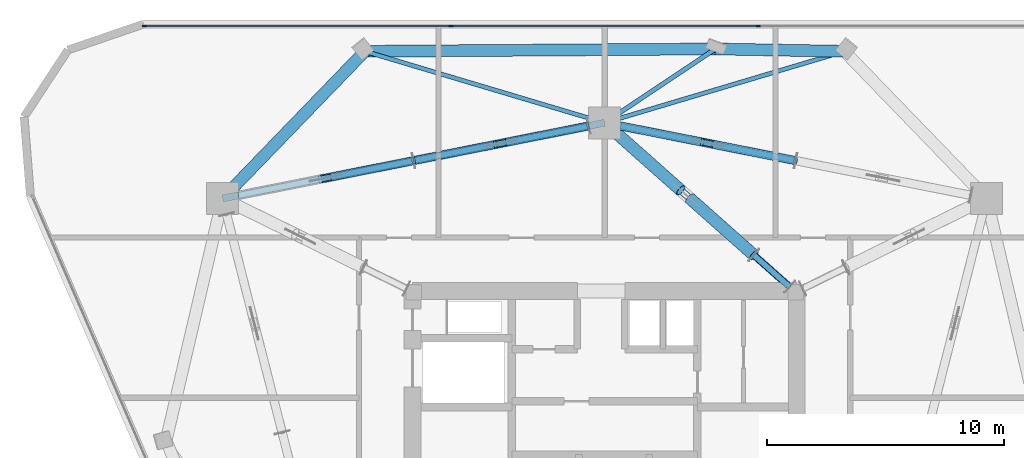
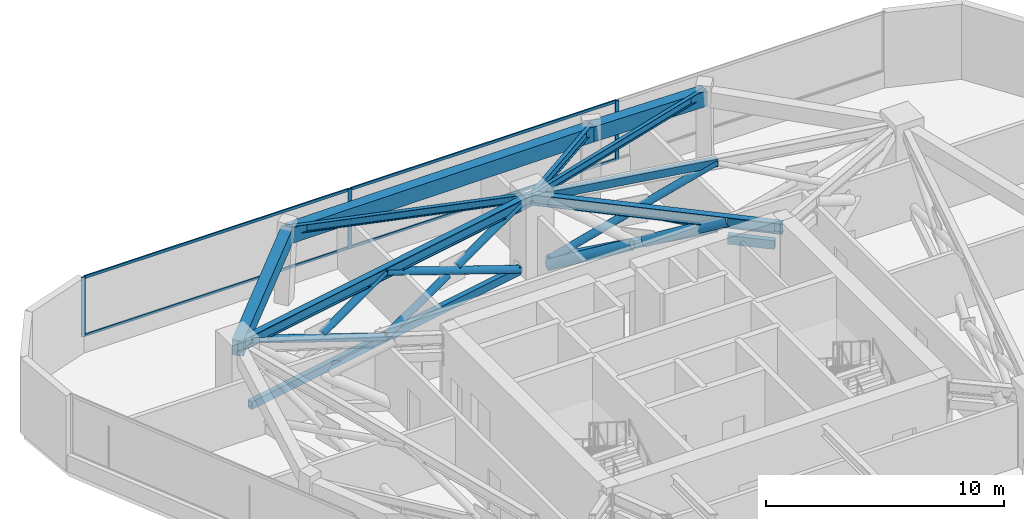
# One storey, part 6 of 12: 25 members, 8 beams, 1 element without a shape of its own.
"""IFC4 building model written with IfcOpenShell, lengths in metres."""

import ifcopenshell
import ifcopenshell.guid

model = None  # the IFC model being written
_history = None  # IfcOwnerHistory: only IFC2X3 demands one
_inside = {}  # id of a spatial element -> (the spatial element, [elements in it])
_under = {}  # id of a project, library or spatial element -> (it, [spatial elements below it])
_declared = {}  # id of a project -> (the project, [libraries it declares])
_typed = {}  # id of a type object -> (the type object, [elements of that type])
_made_of = {}  # id of a material, layer set ... -> (it, [elements and type objects made of it])


def new_model(schema):
    """Start an empty IFC model of exactly this schema.

    Asked for "IFC4X3", IfcOpenShell would pick the latest addendum, in which some entities
    have other attributes; the version numbers below select the first issue.
    IFC2X3 requires an IfcOwnerHistory on every rooted entity: one is made here for all.
    """
    global model, _history
    if schema == "IFC4X3":
        model = ifcopenshell.file(schema_version=(4, 3, 0, 0))
    else:
        model = ifcopenshell.file(schema=schema)
    _inside.clear()
    _under.clear()
    _declared.clear()
    _typed.clear()
    _made_of.clear()
    _history = None
    if model.schema == "IFC2X3":
        org = make("IfcOrganization", Name="unknown")
        user = make(
            "IfcPersonAndOrganization",
            ThePerson=make("IfcPerson", FamilyName="unknown"),
            TheOrganization=org,
        )
        app = make(
            "IfcApplication",
            ApplicationDeveloper=org,
            Version="unknown",
            ApplicationFullName="unknown",
            ApplicationIdentifier="unknown",
        )
        _history = make(
            "IfcOwnerHistory",
            OwningUser=user,
            OwningApplication=app,
            ChangeAction="ADDED",
            CreationDate=0,
        )
    return model


def make(cls, **values):
    """One entity of the class cls with the attributes given. An attribute that is None is left unset."""
    return model.create_entity(
        cls, **{name: value for name, value in values.items() if value is not None}
    )


def rooted(cls, **values):
    """An entity with a GlobalId (a new one), such as an element, a storey or a relation."""
    return make(cls, GlobalId=ifcopenshell.guid.new(), OwnerHistory=_history, **values)


def si_unit(unit_type, name, prefix=None):
    """IfcSIUnit, for example si_unit("LENGTHUNIT", "METRE", prefix="MILLI")."""
    return make("IfcSIUnit", UnitType=unit_type, Prefix=prefix, Name=name)


def assignment(units):
    """IfcUnitAssignment: the units of a project."""
    return None if units is None else make("IfcUnitAssignment", Units=units)


def point(xyz):
    """IfcCartesianPoint."""
    return None if xyz is None else make("IfcCartesianPoint", Coordinates=xyz)


def direction(xyz):
    """IfcDirection."""
    return None if xyz is None else make("IfcDirection", DirectionRatios=xyz)


def frame(location, z_axis=None, x_axis=None):
    """IfcAxis2Placement3D, a coordinate frame: its origin and axes. An axis left out is left unset."""
    return make(
        "IfcAxis2Placement3D",
        Location=point(location),
        Axis=direction(z_axis),
        RefDirection=direction(x_axis),
    )


def frame_2d(location, x_axis=None):
    """IfcAxis2Placement2D, a coordinate frame in the plane: its origin and x axis."""
    return make(
        "IfcAxis2Placement2D", Location=point(location), RefDirection=direction(x_axis)
    )


def origin():
    """The frame at (0, 0, 0) with its axes left unset."""
    return frame((0.0, 0.0, 0.0))


def origin_2d():
    """The frame at (0, 0) in the plane with its x axis left unset."""
    return frame_2d((0.0, 0.0))


def place(relative_to, where):
    """IfcLocalPlacement: puts the frame where relative to a parent placement (None: the world)."""
    return make(
        "IfcLocalPlacement", PlacementRelTo=relative_to, RelativePlacement=where
    )


def context(
    kind, dimensions, precision=None, world=None, true_north=None, identifier=None
):
    """IfcGeometricRepresentationContext, for example the 3D "Model" context."""
    return make(
        "IfcGeometricRepresentationContext",
        ContextIdentifier=identifier,
        ContextType=kind,
        CoordinateSpaceDimension=dimensions,
        Precision=precision,
        WorldCoordinateSystem=world,
        TrueNorth=true_north,
    )


def subcontext(parent, identifier, kind, view, scale=None):
    """IfcGeometricRepresentationSubContext, for example "Body" below "Model"."""
    return make(
        "IfcGeometricRepresentationSubContext",
        ContextIdentifier=identifier,
        ContextType=kind,
        ParentContext=parent,
        TargetScale=scale,
        TargetView=view,
    )


def project(units=None, contexts=None):
    """IfcProject with its units and contexts."""
    return rooted(
        "IfcProject",
        Name="project",
        RepresentationContexts=contexts,
        UnitsInContext=assignment(units),
    )


def spatial(cls, under=None, at=None, **own):
    """A site, building, storey or space (cls), placed at a placement, below another one or the project."""
    s = rooted(cls, ObjectPlacement=at, **own)
    if under is not None:
        _under.setdefault(under.id(), (under, []))[1].append(s)
    return s


def profile(cls, at=None, kind="AREA", **sizes):
    """A parametric profile (cls). Its sizes go by their IFC names, for example OverallWidth=200.0."""
    return make(cls, ProfileType=kind, Position=at, **sizes)


def rectangle(**sizes):
    """IfcRectangleProfileDef."""
    return profile("IfcRectangleProfileDef", **sizes)


def hollow_rectangle(**sizes):
    """IfcRectangleHollowProfileDef."""
    return profile("IfcRectangleHollowProfileDef", **sizes)


def hollow_circle(**sizes):
    """IfcCircleHollowProfileDef."""
    return profile("IfcCircleHollowProfileDef", **sizes)


def i_section(**sizes):
    """IfcIShapeProfileDef."""
    return profile("IfcIShapeProfileDef", **sizes)


def extrude(swept, where, along, depth):
    """IfcExtrudedAreaSolid: the profile swept, set in the frame where, extruded along a direction by depth."""
    return make(
        "IfcExtrudedAreaSolid",
        SweptArea=swept,
        Position=where,
        ExtrudedDirection=direction(along),
        Depth=depth,
    )


def shape(context_of_items, identifier, shape_type, items):
    """IfcShapeRepresentation: the items that make up one representation, for example the "Body"."""
    return make(
        "IfcShapeRepresentation",
        ContextOfItems=context_of_items,
        RepresentationIdentifier=identifier,
        RepresentationType=shape_type,
        Items=items,
    )


def material(Name=None, Category=None):
    """IfcMaterial."""
    return make("IfcMaterial", Name=Name, Category=Category)


def layer(
    of_material, thickness, ventilated=None, Name=None, Category=None, Priority=None
):
    """IfcMaterialLayer: one layer of a wall or slab, of a material (None: an air gap)."""
    return make(
        "IfcMaterialLayer",
        Material=of_material,
        LayerThickness=thickness,
        IsVentilated=ventilated,
        Name=Name,
        Category=Category,
        Priority=Priority,
    )


def layer_set(layers, Name=None):
    """IfcMaterialLayerSet."""
    return make("IfcMaterialLayerSet", MaterialLayers=layers, LayerSetName=Name)


def material_profile(
    of_material, cross_section, Name=None, Category=None, Priority=None
):
    """IfcMaterialProfile: a cross section and its material."""
    return make(
        "IfcMaterialProfile",
        Name=Name,
        Material=of_material,
        Profile=cross_section,
        Priority=Priority,
        Category=Category,
    )


def profile_set(profiles, Name=None, composite=None):
    """IfcMaterialProfileSet."""
    return make(
        "IfcMaterialProfileSet",
        Name=Name,
        MaterialProfiles=profiles,
        CompositeProfile=composite,
    )


def made_of(thing, what):
    """Note that an element or type object is made of a material, layer set ...; save() writes the relation."""
    if what is not None:
        _made_of.setdefault(what.id(), (what, []))[1].append(thing)
    return thing


def type_object(cls, material=None, **own):
    """A type object (cls), such as IfcWallType, which elements share."""
    return made_of(rooted(cls, **own), material)


def element(
    cls,
    number,
    at=None,
    inside=None,
    cuts=None,
    type_object=None,
    material=None,
    context=None,
    identifier="Body",
    shape_type=None,
    held_by="IfcProductDefinitionShape",
    body=None,
    shapes=None,
    **own,
):
    """One element of the class cls, such as IfcWall. Its Tag is "e" and its number.

    at: its placement. inside: the storey or other place that contains it. cuts: it is an
    opening in that element (IfcRelVoidsElement). A single representation is given by context,
    identifier, shape_type and body (its items); several are given by shapes. held_by: the class
    of the entity that holds the representations. save() writes the other relations.
    """
    e = rooted(cls, Tag="e%d" % number, ObjectPlacement=at, **own)
    if body is not None:
        shapes = [shape(context, identifier, shape_type, body)]
    if shapes is not None:
        e.Representation = make(held_by, Representations=shapes)
    if inside is not None:
        _inside.setdefault(inside.id(), (inside, []))[1].append(e)
    if cuts is not None:
        rooted(
            "IfcRelVoidsElement", RelatingBuildingElement=cuts, RelatedOpeningElement=e
        )
    if type_object is not None:
        _typed.setdefault(type_object.id(), (type_object, []))[1].append(e)
    return made_of(e, material)


def aggregate(whole, parts):
    """IfcRelAggregates: a whole, such as a stair, and the parts it consists of."""
    return rooted("IfcRelAggregates", RelatingObject=whole, RelatedObjects=parts)


def save(model, path):
    """Write the relations noted so far, then the file.

    IfcRelAggregates (storeys below a building ...), IfcRelContainedInSpatialStructure (elements
    in a storey), IfcRelDefinesByType, IfcRelAssociatesMaterial and IfcRelDeclares: one each for
    every whole, place, type object, material and project.
    """
    for whole, parts in _under.values():
        aggregate(whole, parts)
    for where, things in _inside.values():
        rooted(
            "IfcRelContainedInSpatialStructure",
            RelatedElements=things,
            RelatingStructure=where,
        )
    for kind, things in _typed.values():
        rooted("IfcRelDefinesByType", RelatedObjects=things, RelatingType=kind)
    for what, things in _made_of.values():
        rooted("IfcRelAssociatesMaterial", RelatedObjects=things, RelatingMaterial=what)
    for by, libraries in _declared.values():
        rooted("IfcRelDeclares", RelatingContext=by, RelatedDefinitions=libraries)
    model.write(path)


model = new_model("IFC4")

# Units and contexts
model_context = context("Model", 3, precision=1e-05, world=origin(), true_north=direction((0.0, 1.0)))
body_context = subcontext(model_context, "Body", "Model", "MODEL_VIEW")
ifc_project = project(units=[si_unit("LENGTHUNIT", "METRE"), si_unit("AREAUNIT", "SQUARE_METRE"), si_unit("VOLUMEUNIT", "CUBIC_METRE"), si_unit("PLANEANGLEUNIT", "RADIAN"), si_unit("MASSUNIT", "GRAM", prefix="KILO")], contexts=[model_context])

# Site, building, storey
site_placement = place(None, origin())
site = spatial("IfcSite", under=ifc_project, at=site_placement, CompositionType="ELEMENT")
building_placement = place(site_placement, origin())
building = spatial("IfcBuilding", under=site, at=building_placement, Name="Talyreon Biosciences Tower", CompositionType="ELEMENT")
storey_placement = place(building_placement, frame((0.0, 0.0, 223.199951171875)))
storey = spatial("IfcBuildingStorey", under=building, at=storey_placement, Name="L59", CompositionType="ELEMENT", Elevation=223.199951171875)

# Members
ifc_material_1 = material(Name="Steel SM355", Category="steel")
ifc_material_profile_1 = material_profile(ifc_material_1, hollow_circle(Radius=0.177734375, WallThickness=0.01416015625, at=origin_2d()), Name="CHS 355.6x14.2")
ifc_profile_set_1 = profile_set([ifc_material_profile_1], Name="Steel SM355")
member_type_1 = type_object("IfcMemberType", Name="BeltBrace_CHS355", PredefinedType="BRACE", material=ifc_profile_set_1)
member_1_placement = place(storey_placement, frame((74.05126953125, 80.19384765625, 0.239990234375), z_axis=(-0.895654033427, 0.177435861582, 0.407823941708), x_axis=(-0.194330874011, -0.980936038387, 0.0)))
element("IfcMember", 1, at=member_1_placement, inside=storey, type_object=member_type_1, Name="L59 Continuous Diagonal BELT-L59-B3S2A", PredefinedType="BRACE", context=body_context, shape_type="SweptSolid", body=[
    extrude(hollow_circle(Radius=0.177734375, WallThickness=0.01416015625, at=origin_2d()), origin(), (0.0, 0.0, 1.0), 8.239013671875),
])
member_2_placement = place(storey_placement, frame((66.671875, 81.65576171875, 0.239990234375), z_axis=(0.895643914754, -0.177411893657, 0.407856589935), x_axis=(0.194307727364, 0.980940623629, 0.0)))
element("IfcMember", 2, at=member_2_placement, inside=storey, type_object=member_type_1, Name="L59 Split Diagonal BELT-L59-B3S2B-Lower", PredefinedType="BRACE", context=body_context, shape_type="SweptSolid", body=[
    extrude(hollow_circle(Radius=0.177734375, WallThickness=0.01416015625, at=origin_2d()), origin(), (0.0, 0.0, 1.0), 3.83935546875),
])
member_3_placement = place(storey_placement, frame((70.6123046875, 80.875, 2.0341796875), z_axis=(0.895656492881, -0.177401790085, 0.407833362582), x_axis=(0.194294453738, 0.980943252817, 0.0)))
element("IfcMember", 3, at=member_3_placement, inside=storey, type_object=member_type_1, Name="L59 Split Diagonal BELT-L59-B3S2B-Upper", PredefinedType="BRACE", context=body_context, shape_type="SweptSolid", body=[
    extrude(hollow_circle(Radius=0.177734375, WallThickness=0.01416015625, at=origin_2d()), origin(), (0.0, 0.0, 1.0), 3.839599609375),
])
member_4_placement = place(storey_placement, frame((65.328125, 81.65576171875, 0.239990234375), z_axis=(-0.895654033427, -0.177435861582, 0.407823941708), x_axis=(0.194330874011, -0.980936038387, 0.0)))
element("IfcMember", 4, at=member_4_placement, inside=storey, type_object=member_type_1, Name="L59 Continuous Diagonal BELT-L59-B4S1A", PredefinedType="BRACE", context=body_context, shape_type="SweptSolid", body=[
    extrude(hollow_circle(Radius=0.177734375, WallThickness=0.01416015625, at=origin_2d()), origin(), (0.0, 0.0, 1.0), 8.239013671875),
])
member_5_placement = place(storey_placement, frame((57.94873046875, 80.19384765625, 0.239990234375), z_axis=(0.895656492881, 0.177401790085, 0.407833362582), x_axis=(-0.194294453738, 0.980943252817, 0.0)))
element("IfcMember", 5, at=member_5_placement, inside=storey, type_object=member_type_1, Name="L59 Split Diagonal BELT-L59-B4S1B-Lower", PredefinedType="BRACE", context=body_context, shape_type="SweptSolid", body=[
    extrude(hollow_circle(Radius=0.177734375, WallThickness=0.01416015625, at=origin_2d()), origin(), (0.0, 0.0, 1.0), 3.839599609375),
])
member_6_placement = place(storey_placement, frame((61.889404296875, 80.974609375, 2.0341796875), z_axis=(0.895643914754, 0.177411893657, 0.407856589935), x_axis=(-0.194307727364, 0.980940623629, 0.0)))
element("IfcMember", 6, at=member_6_placement, inside=storey, type_object=member_type_1, Name="L59 Split Diagonal BELT-L59-B4S1B-Upper", PredefinedType="BRACE", context=body_context, shape_type="SweptSolid", body=[
    extrude(hollow_circle(Radius=0.177734375, WallThickness=0.01416015625, at=origin_2d()), origin(), (0.0, 0.0, 1.0), 3.83935546875),
])
member_7_placement = place(storey_placement, frame((57.94873046875, 80.19384765625, 0.239990234375), z_axis=(-0.895643462177, -0.177469270305, 0.407832621007), x_axis=(0.194368289089, -0.980928625434, 0.0)))
element("IfcMember", 7, at=member_7_placement, inside=storey, type_object=member_type_1, Name="L59 Continuous Diagonal BELT-L59-B4S2A", PredefinedType="BRACE", context=body_context, shape_type="SweptSolid", body=[
    extrude(hollow_circle(Radius=0.177734375, WallThickness=0.01416015625, at=origin_2d()), origin(), (0.0, 0.0, 1.0), 8.239013671875),
])
member_8_placement = place(storey_placement, frame((54.510009765625, 79.512451171875, 2.0341796875), z_axis=(0.895633809037, 0.177473479661, 0.407851988013), x_axis=(-0.194374740894, 0.980927347005, 0.0)))
element("IfcMember", 8, at=member_8_placement, inside=storey, type_object=member_type_1, Name="L59 Split Diagonal BELT-L59-B4S2B-Upper", PredefinedType="BRACE", context=body_context, shape_type="SweptSolid", body=[
    extrude(hollow_circle(Radius=0.177734375, WallThickness=0.01416015625, at=origin_2d()), origin(), (0.0, 0.0, 1.0), 3.83935546875),
])
ifc_material_profile_2 = material_profile(ifc_material_1, hollow_rectangle(XDim=0.25, YDim=0.39990234375, WallThickness=0.01611328125, at=origin_2d()), Name="RHS 400x250x16")
ifc_profile_set_2 = profile_set([ifc_material_profile_2], Name="Steel SM355")
member_type_2 = type_object("IfcMemberType", Name="BeltChord_RHS400x250", PredefinedType="CHORD", material=ifc_profile_set_2)
for number, where, z_axis, x_axis, name in (
    (9, (74.05126953125, 80.19384765625, 0.239990234375), (-0.980936038387, 0.194330874011, 0.0), (-0.194330874011, -0.980936038387, 0.0), "L59 Truss Bottom Chord BELT-L59-B3S2"),
    (10, (74.05126953125, 80.19384765625, 3.60009765625), (-0.980936038387, 0.194330874011, 0.0), (-0.194330874011, -0.980936038387, 0.0), "L59 Truss Top Chord BELT-L59-B3S2"),
    (11, (65.328125, 81.65576171875, 0.239990234375), (-0.980936038387, -0.194330874011, 0.0), (0.194330874011, -0.980936038387, 0.0), "L59 Truss Bottom Chord BELT-L59-B4S1"),
    (12, (65.328125, 81.65576171875, 3.60009765625), (-0.980936038387, -0.194330874011, 0.0), (0.194330874011, -0.980936038387, 0.0), "L59 Truss Top Chord BELT-L59-B4S1"),
    (13, (57.94873046875, 80.19384765625, 0.239990234375), (-0.980928625434, -0.194368289089, 0.0), (0.194368289089, -0.980928625434, 0.0), "L59 Truss Bottom Chord BELT-L59-B4S2"),
    (14, (57.94873046875, 80.19384765625, 3.60009765625), (-0.980928625434, -0.194368289089, 0.0), (0.194368289089, -0.980928625434, 0.0), "L59 Truss Top Chord BELT-L59-B4S2"),
):
    element("IfcMember", number, at=place(storey_placement, frame(where, z_axis=z_axis, x_axis=x_axis)), inside=storey, type_object=member_type_2, Name=name, PredefinedType="CHORD", context=body_context, shape_type="SweptSolid", body=[
        extrude(hollow_rectangle(XDim=0.25, YDim=0.39990234375, WallThickness=0.01611328125, at=origin_2d()), origin(), (0.0, 0.0, 1.0), 7.522705078125),
    ])

# Curtain wall, members
ifc_material_2 = material(Name="Thermally broken aluminium and low-E glazing", Category="aluminium")
ifc_layer = layer(ifc_material_2, 0.179931640625)
ifc_layer_set = layer_set([ifc_layer], Name="Thermally broken aluminium and low-E glazing")
curtain_wall_type = type_object("IfcCurtainWallType", Name="CurtainWall_Zone4Optical", PredefinedType="NOTDEFINED", material=ifc_layer_set)
curtain_wall_placement = place(storey_placement, origin())
curtain_wall = element("IfcCurtainWall", 15, at=curtain_wall_placement, inside=storey, type_object=curtain_wall_type, Name="L59 Unitised Curtain Wall FCW-L59-04", PredefinedType="NOTDEFINED")
ifc_material_3 = material(Name="Anodised thermally broken aluminium", Category="aluminium")
ifc_material_profile_3 = material_profile(ifc_material_3, rectangle(XDim=0.06494140625, YDim=0.179931640625, at=origin_2d()), Name="ALUM MULLION 65x180")
ifc_profile_set_3 = profile_set([ifc_material_profile_3], Name="Anodised thermally broken aluminium")
member_type_3 = type_object("IfcMemberType", Name="CWMullion_65x180", PredefinedType="MULLION", material=ifc_profile_set_3)
member_9_placement = place(storey_placement, frame((46.597900390625, 85.87158203125, 0.81005859375), z_axis=(0.0, 0.0, 1.0), x_axis=(0.0, 1.0, 0.0)))
member_9 = element("IfcMember", 16, at=member_9_placement, type_object=member_type_3, Name="CW5 mullion 1", PredefinedType="MULLION", context=body_context, shape_type="SweptSolid", body=[
    extrude(rectangle(XDim=0.06494140625, YDim=0.179931640625, at=origin_2d()), origin(), (0.0, 0.0, 1.0), 3.0400390625),
])
member_10_placement = place(storey_placement, frame((59.521728515625, 85.87158203125, 0.81005859375), z_axis=(0.0, 0.0, 1.0), x_axis=(0.0, 1.0, 0.0)))
member_10 = element("IfcMember", 17, at=member_10_placement, type_object=member_type_3, Name="CW5 mullion 2", PredefinedType="MULLION", context=body_context, shape_type="SweptSolid", body=[
    extrude(rectangle(XDim=0.06494140625, YDim=0.179931640625, at=origin_2d()), origin(), (0.0, 0.0, 1.0), 3.0400390625),
])
member_11_placement = place(storey_placement, frame((72.478271484375, 85.87158203125, 0.81005859375), z_axis=(0.0, 0.0, 1.0), x_axis=(0.0, 1.0, 0.0)))
member_11 = element("IfcMember", 18, at=member_11_placement, type_object=member_type_3, Name="CW5 mullion 3", PredefinedType="MULLION", context=body_context, shape_type="SweptSolid", body=[
    extrude(rectangle(XDim=0.06494140625, YDim=0.179931640625, at=origin_2d()), origin(), (0.0, 0.0, 1.0), 3.0400390625),
])
ifc_material_profile_4 = material_profile(ifc_material_3, rectangle(XDim=0.06494140625, YDim=0.139892578125, at=origin_2d()), Name="ALUM TRANSOM 65x140")
ifc_profile_set_4 = profile_set([ifc_material_profile_4], Name="Anodised thermally broken aluminium")
member_type_4 = type_object("IfcMemberType", Name="CWTransom_65x140", PredefinedType="USERDEFINED", material=ifc_profile_set_4)
member_12_placement = place(storey_placement, frame((46.63037109375, 85.87158203125, 0.842529296875), z_axis=(1.0, 0.0, 0.0), x_axis=(0.0, 1.0, 0.0)))
member_12 = element("IfcMember", 19, at=member_12_placement, type_object=member_type_4, Name="CW5 transom 1.1", ObjectType="TRANSOM", PredefinedType="USERDEFINED", context=body_context, shape_type="SweptSolid", body=[
    extrude(rectangle(XDim=0.06494140625, YDim=0.139892578125, at=origin_2d()), origin(), (0.0, 0.0, 1.0), 12.85888671875),
])
member_13_placement = place(storey_placement, frame((46.63037109375, 85.87158203125, 3.817626953125), z_axis=(1.0, 0.0, 0.0), x_axis=(0.0, 1.0, 0.0)))
member_13 = element("IfcMember", 20, at=member_13_placement, type_object=member_type_4, Name="CW5 transom 1.2", ObjectType="TRANSOM", PredefinedType="USERDEFINED", context=body_context, shape_type="SweptSolid", body=[
    extrude(rectangle(XDim=0.06494140625, YDim=0.139892578125, at=origin_2d()), origin(), (0.0, 0.0, 1.0), 12.85888671875),
])
member_14_placement = place(storey_placement, frame((59.55419921875, 85.87158203125, 0.842529296875), z_axis=(1.0, 0.0, 0.0), x_axis=(0.0, 1.0, 0.0)))
member_14 = element("IfcMember", 21, at=member_14_placement, type_object=member_type_4, Name="CW5 transom 2.1", ObjectType="TRANSOM", PredefinedType="USERDEFINED", context=body_context, shape_type="SweptSolid", body=[
    extrude(rectangle(XDim=0.06494140625, YDim=0.139892578125, at=origin_2d()), origin(), (0.0, 0.0, 1.0), 12.8916015625),
])
member_15_placement = place(storey_placement, frame((59.55419921875, 85.87158203125, 3.817626953125), z_axis=(1.0, 0.0, 0.0), x_axis=(0.0, 1.0, 0.0)))
member_15 = element("IfcMember", 22, at=member_15_placement, type_object=member_type_4, Name="CW5 transom 2.2", ObjectType="TRANSOM", PredefinedType="USERDEFINED", context=body_context, shape_type="SweptSolid", body=[
    extrude(rectangle(XDim=0.06494140625, YDim=0.139892578125, at=origin_2d()), origin(), (0.0, 0.0, 1.0), 12.8916015625),
])
aggregate(curtain_wall, [member_9, member_10, member_11, member_12, member_13, member_14, member_15])

# Beams
ifc_material_4 = material(Name="Precast concrete C45/55", Category="concrete")
ifc_material_profile_5 = material_profile(ifc_material_4, rectangle(XDim=0.5, YDim=0.780029296875, at=origin_2d()), Name="RCB 500x780")
ifc_profile_set_5 = profile_set([ifc_material_profile_5], Name="Precast concrete C45/55")
beam_type_1 = type_object("IfcBeamType", Name="ExpressedSpandrel_500x780", PredefinedType="SPANDREL", material=ifc_profile_set_5)
beam_1_placement = place(storey_placement, frame((76.10595703125, 84.801513671875, 3.4599609375), z_axis=(-0.999830859989, 0.018391612571, 0.0), x_axis=(-0.018391612571, -0.999830859989, 0.0)))
element("IfcBeam", 23, at=beam_1_placement, inside=storey, type_object=beam_type_1, Name="L59 Expressed Horizontal Concrete Spandrel 06", PredefinedType="SPANDREL", context=body_context, shape_type="SweptSolid", body=[
    extrude(rectangle(XDim=0.5, YDim=0.780029296875, at=origin_2d()), origin(), (0.0, 0.0, 1.0), 5.442626953125),
])
beam_2_placement = place(storey_placement, frame((70.664306640625, 84.901611328125, 3.4599609375), z_axis=(-0.999977037119, -0.006776815901, 0.0), x_axis=(0.006776815901, -0.999977037119, 0.0)))
element("IfcBeam", 24, at=beam_2_placement, inside=storey, type_object=beam_type_1, Name="L59 Expressed Horizontal Concrete Spandrel 07", PredefinedType="SPANDREL", context=body_context, shape_type="SweptSolid", body=[
    extrude(rectangle(XDim=0.5, YDim=0.780029296875, at=origin_2d()), origin(), (0.0, 0.0, 1.0), 14.7705078125),
])
beam_3_placement = place(storey_placement, frame((55.89404296875, 84.801513671875, 3.4599609375), z_axis=(-0.695035262525, -0.718975648995, 0.0), x_axis=(0.718975648995, -0.695035262525, 0.0)))
element("IfcBeam", 25, at=beam_3_placement, inside=storey, type_object=beam_type_1, Name="L59 Expressed Horizontal Concrete Spandrel 08", PredefinedType="SPANDREL", context=body_context, shape_type="SweptSolid", body=[
    extrude(rectangle(XDim=0.5, YDim=0.780029296875, at=origin_2d()), origin(), (0.0, 0.0, 1.0), 8.62744140625),
])

# Members
ifc_material_profile_6 = material_profile(ifc_material_1, hollow_circle(Radius=0.25390625, WallThickness=0.02001953125, at=origin_2d()), Name="CHS 508x20")
ifc_profile_set_6 = profile_set([ifc_material_profile_6], Name="Steel SM355")
member_type_5 = type_object("IfcMemberType", Name="OutriggerBrace_CHS508", PredefinedType="BRACE", material=ifc_profile_set_6)
member_16_placement = place(storey_placement, frame((66.512451171875, 81.33447265625, 0.239990234375), z_axis=(0.686096330711, -0.608421533451, 0.398867224297), x_axis=(0.663485024888, 0.748189562711, 0.0)))
element("IfcMember", 26, at=member_16_placement, inside=storey, type_object=member_type_5, Name="L59 Split Diagonal OUT-L59-R4B-Lower", PredefinedType="BRACE", context=body_context, shape_type="SweptSolid", body=[
    extrude(hollow_circle(Radius=0.25390625, WallThickness=0.02001953125, at=origin_2d()), origin(), (0.0, 0.0, 1.0), 3.93212890625),
])
member_17_placement = place(storey_placement, frame((69.59423828125, 78.601318359375, 2.03173828125), z_axis=(0.686089385805, -0.608408344838, 0.398899286308), x_axis=(0.663480733376, 0.748193368347, 0.0)))
element("IfcMember", 27, at=member_17_placement, inside=storey, type_object=member_type_5, Name="L59 Split Diagonal OUT-L59-R4B-Upper", PredefinedType="BRACE", context=body_context, shape_type="SweptSolid", body=[
    extrude(hollow_circle(Radius=0.25390625, WallThickness=0.02001953125, at=origin_2d()), origin(), (0.0, 0.0, 1.0), 3.931640625),
])
ifc_material_profile_7 = material_profile(ifc_material_1, hollow_rectangle(XDim=0.25, YDim=0.449951171875, WallThickness=0.01611328125, at=origin_2d()), Name="RHS 450x250x16")
ifc_profile_set_7 = profile_set([ifc_material_profile_7], Name="Steel SM355")
member_type_6 = type_object("IfcMemberType", Name="OutriggerChord_RHS450x250", PredefinedType="CHORD", material=ifc_profile_set_7)
for number, where, z_axis, x_axis, name in (
    (28, (73.79931640625, 74.872314453125, 3.60009765625), (-0.748184255594, 0.663491009495, 0.0), (-0.663491009495, -0.748184255594, 0.0), "L59 Outrigger Core Top Tie 4"),
    (29, (73.79931640625, 74.872314453125, 2.699951171875), (-0.748184255594, 0.663491009495, 0.0), (-0.663491009495, -0.748184255594, 0.0), "L59 Outrigger Core Plenum Tie 4"),
):
    element("IfcMember", number, at=place(storey_placement, frame(where, z_axis=z_axis, x_axis=x_axis)), inside=storey, type_object=member_type_6, Name=name, PredefinedType="CHORD", context=body_context, shape_type="SweptSolid", body=[
        extrude(hollow_rectangle(XDim=0.25, YDim=0.449951171875, WallThickness=0.01611328125, at=origin_2d()), origin(), (0.0, 0.0, 1.0), 2.014892578125),
    ])

# Beams
ifc_material_profile_8 = material_profile(ifc_material_1, i_section(OverallWidth=0.300048828125, OverallDepth=0.550048828125, WebThickness=0.014892578125, FlangeThickness=0.029052734375, FilletRadius=0.027099609375, at=origin_2d()), Name="HE550B")
ifc_profile_set_8 = profile_set([ifc_material_profile_8], Name="Steel SM355")
beam_type_2 = type_object("IfcBeamType", Name="SteelBeam_HE550B", PredefinedType="BEAM", material=ifc_profile_set_8)
beam_4_placement = place(storey_placement, frame((66.0, 81.788818359375, 3.574951171875), z_axis=(-0.980933730698, -0.194342522311, 0.0), x_axis=(0.194342522311, -0.980933730698, 0.0)))
element("IfcBeam", 30, at=beam_4_placement, inside=storey, type_object=beam_type_2, Name="L59 Mega-Ring Girder 4", PredefinedType="BEAM", context=body_context, shape_type="SweptSolid", body=[
    extrude(i_section(OverallWidth=0.300048828125, OverallDepth=0.550048828125, WebThickness=0.014892578125, FlangeThickness=0.029052734375, FilletRadius=0.027099609375, at=origin_2d()), origin(), (0.0, 0.0, 1.0), 16.415283203125),
])
beam_5_placement = place(storey_placement, frame((74.050048828125, 74.64990234375, 3.574951171875), z_axis=(-0.748178733955, 0.663497235908, 0.0), x_axis=(-0.663497235908, -0.748178733955, 0.0)))
element("IfcBeam", 31, at=beam_5_placement, inside=storey, type_object=beam_type_2, Name="L59 Radial Primary Girder 4", PredefinedType="BEAM", context=body_context, shape_type="SweptSolid", body=[
    extrude(i_section(OverallWidth=0.300048828125, OverallDepth=0.550048828125, WebThickness=0.014892578125, FlangeThickness=0.029052734375, FilletRadius=0.027099609375, at=origin_2d()), origin(), (0.0, 0.0, 1.0), 10.759521484375),
])
ifc_material_profile_9 = material_profile(ifc_material_1, i_section(OverallWidth=0.179931640625, OverallDepth=0.39990234375, WebThickness=0.008544921875, FlangeThickness=0.013427734375, FilletRadius=0.02099609375, at=origin_2d()), Name="IPE400")
ifc_profile_set_9 = profile_set([ifc_material_profile_9], Name="Steel SM355")
beam_type_3 = type_object("IfcBeamType", Name="SteelJoist_IPE400", PredefinedType="JOIST", material=ifc_profile_set_9)
for number, where, z_axis, x_axis, name in (
    (32, (66.0, 81.788818359375, 3.650146484375), (0.958323128135, 0.285686510151, 0.0), (-0.285686510151, 0.958323128135, 0.0), "L59 Radial Composite Floor Joist PC-N1"),
    (33, (66.0, 81.788818359375, 3.650146484375), (-0.958323128135, 0.285686510151, 0.0), (-0.285686510151, -0.958323128135, 0.0), "L59 Radial Composite Floor Joist PC-N2"),
):
    element("IfcBeam", number, at=place(storey_placement, frame(where, z_axis=z_axis, x_axis=x_axis)), inside=storey, type_object=beam_type_3, Name=name, PredefinedType="JOIST", context=body_context, shape_type="SweptSolid", body=[
        extrude(i_section(OverallWidth=0.179931640625, OverallDepth=0.39990234375, WebThickness=0.008544921875, FlangeThickness=0.013427734375, FilletRadius=0.02099609375, at=origin_2d()), origin(), (0.0, 0.0, 1.0), 10.54541015625),
    ])
ifc_material_profile_10 = material_profile(ifc_material_1, i_section(OverallWidth=0.18994140625, OverallDepth=0.449951171875, WebThickness=0.009521484375, FlangeThickness=0.0146484375, FilletRadius=0.02099609375, at=origin_2d()), Name="IPE450")
ifc_profile_set_10 = profile_set([ifc_material_profile_10], Name="Steel SM355")
beam_type_4 = type_object("IfcBeamType", Name="SteelJoist_IPE450", PredefinedType="JOIST", material=ifc_profile_set_10)
beam_6_placement = place(storey_placement, frame((66.0, 81.788818359375, 3.625), z_axis=(0.831782274741, 0.555102015333, 0.0), x_axis=(-0.555102015333, 0.831782274741, 0.0)))
element("IfcBeam", 34, at=beam_6_placement, inside=storey, type_object=beam_type_4, Name="L59 Radial Composite Floor Joist PL-N", PredefinedType="JOIST", context=body_context, shape_type="SweptSolid", body=[
    extrude(i_section(OverallWidth=0.18994140625, OverallDepth=0.449951171875, WebThickness=0.009521484375, FlangeThickness=0.0146484375, FilletRadius=0.02099609375, at=origin_2d()), origin(), (0.0, 0.0, 1.0), 5.607666015625),
])

save(model, "model.ifc")
